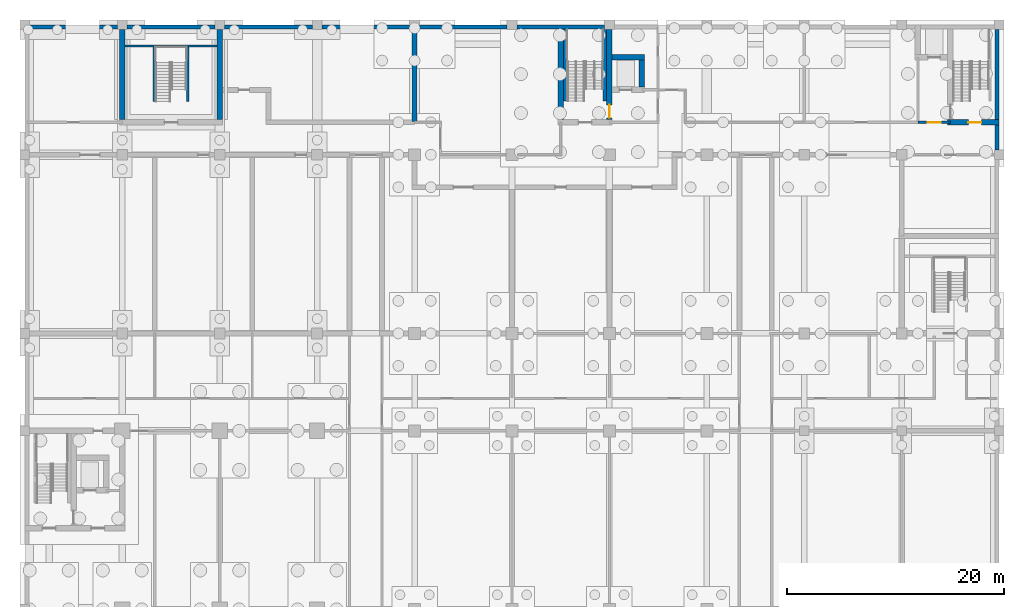
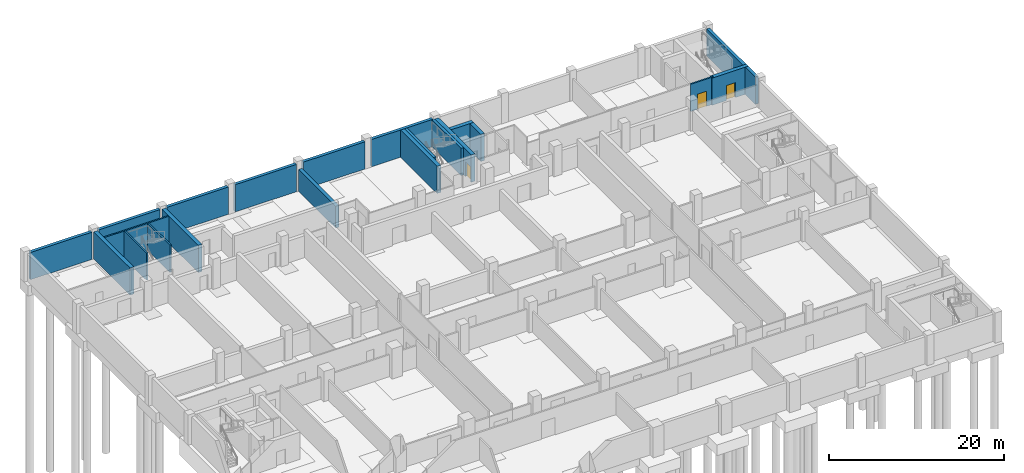
# One storey, part 9 of 15: 21 walls, 3 doors, 3 openings.
"""IFC4 building model written with IfcOpenShell, lengths in metres."""

from ifc_helpers import new_model, si_unit, direction, frame, frame_2d, origin, place, context, subcontext, project, spatial, rectangle, extrude, material, layer, layer_set, type_object, element, fill, save


model = new_model("IFC4")

# Units and contexts
model_context = context("Model", 3, precision=1e-05, world=origin(), true_north=direction((0.0, 1.0)))
body_context = subcontext(model_context, "Body", "Model", "MODEL_VIEW")
ifc_project = project(units=[si_unit("LENGTHUNIT", "METRE"), si_unit("AREAUNIT", "SQUARE_METRE"), si_unit("VOLUMEUNIT", "CUBIC_METRE"), si_unit("PLANEANGLEUNIT", "RADIAN"), si_unit("MASSUNIT", "GRAM", prefix="KILO")], contexts=[model_context])

# Site, building, storey
site_placement = place(None, origin())
site = spatial("IfcSite", under=ifc_project, at=site_placement, CompositionType="ELEMENT")
building_placement = place(site_placement, origin())
building = spatial("IfcBuilding", under=site, at=building_placement, Name="Aurelan Courthouse", CompositionType="ELEMENT")
storey_placement = place(building_placement, frame((0.0, 0.0, -8.39990234375)))
storey = spatial("IfcBuildingStorey", under=building, at=storey_placement, Name="B2", CompositionType="ELEMENT", Elevation=-8.39990234375)

# Wall
ifc_material_1 = material(Name="Reinforced concrete block", Category="concrete")
ifc_layer_1 = layer(ifc_material_1, 0.449951171875)
ifc_layer_set_1 = layer_set([ifc_layer_1], Name="Reinforced concrete block")
wall_type_1 = type_object("IfcWallType", Name="Archive fire wall 450 EI 60", PredefinedType="PARTITIONING", material=ifc_layer_set_1)
wall_1_placement = place(storey_placement, frame((36.0, 57.074951171875, 0.0), z_axis=(0.0, 0.0, 1.0), x_axis=(0.0, 1.0, 0.0)))
element("IfcWall", 1, at=wall_1_placement, inside=storey, type_object=wall_type_1, Name="Archive fire wall B2-087", PredefinedType="PARTITIONING", context=body_context, shape_type="SweptSolid", body=[
    extrude(rectangle(XDim=8.47509765625, YDim=0.449951171875, at=frame_2d((4.237548828125, 0.0))), origin(), (0.0, 0.0, 1.0), 3.0498046875),
])

# Wall, opening, door
ifc_material_2 = material(Name="Masonry block", Category="masonry")
ifc_layer_2 = layer(ifc_material_2, 0.199951171875)
ifc_layer_set_2 = layer_set([ifc_layer_2], Name="Masonry block")
wall_type_2 = type_object("IfcWallType", Name="Lift lobby wall 200 EI 60", PredefinedType="PARTITIONING", material=ifc_layer_set_2)
wall_2_placement = place(storey_placement, frame((82.5, 57.0, 0.0), z_axis=(0.0, 0.0, 1.0), x_axis=(1.0, 0.0, 0.0)))
wall_2 = element("IfcWall", 2, at=wall_2_placement, inside=storey, type_object=wall_type_2, Name="Lift lobby wall B2-067", PredefinedType="PARTITIONING", context=body_context, shape_type="SweptSolid", body=[
    extrude(rectangle(XDim=3.0, YDim=0.199951171875, at=frame_2d((1.5, 0.0))), origin(), (0.0, 0.0, 1.0), 3.7998046875),
])
opening_1_placement = place(wall_2_placement, frame((2.099853515625, 0.0, 0.0), z_axis=(0.0, 0.0, 1.0), x_axis=(-1.0, 0.0, 0.0)))
opening_1 = element("IfcOpeningElement", 3, at=opening_1_placement, cuts=wall_2, Name="Opening D-B2-058", PredefinedType="OPENING", context=body_context, shape_type="SweptSolid", body=[
    extrude(rectangle(XDim=1.199951171875, YDim=2.10009765625, at=frame_2d((0.60009765625, 1.050048828125))), frame((0.0, 0.10986328125, 0.0), z_axis=(0.0, -1.0, 0.0), x_axis=(1.0, 0.0, 0.0)), (0.0, 0.0, 1.0), 0.219970703125),
])
ifc_material_3 = material(Name="Steel", Category="steel")
door_type_1 = type_object("IfcDoorType", Name="Single door 1200 x 2100 FD60", OperationType="SINGLE_SWING_LEFT", PredefinedType="DOOR", material=ifc_material_3)
door_1_placement = place(opening_1_placement, origin())
door_1 = element("IfcDoor", 4, at=door_1_placement, inside=storey, type_object=door_type_1, Name="Single door D-B2-058", OperationType="SINGLE_SWING_LEFT", OverallHeight=2.10009765625, OverallWidth=1.199951171875, PredefinedType="DOOR", context=body_context, shape_type="SweptSolid", body=[
    extrude(rectangle(XDim=1.199951171875, YDim=2.10009765625, at=frame_2d((0.60009765625, 1.050048828125))), frame((0.0, 0.02490234375, 0.0), z_axis=(0.0, -1.0, 0.0), x_axis=(1.0, 0.0, 0.0)), (0.0, 0.0, 1.0), 0.050048828125),
])
fill(opening_1, door_1)

# Walls
ifc_material_4 = material(Name="Concrete C50", Category="concrete")
ifc_layer_3 = layer(ifc_material_4, 0.39990234375)
ifc_layer_set_3 = layer_set([ifc_layer_3], Name="Concrete C50")
wall_type_3 = type_object("IfcWallType", Name="RC retaining wall 400", PredefinedType="SOLIDWALL", material=ifc_layer_set_3)
wall_3_placement = place(storey_placement, frame((89.800048828125, 54.449951171875, 0.0), z_axis=(0.0, 0.0, 1.0), x_axis=(0.0, 1.0, 0.0)))
element("IfcWall", 5, at=wall_3_placement, inside=storey, type_object=wall_type_3, Name="Retaining wall SW-B2-034", PredefinedType="SOLIDWALL", context=body_context, shape_type="SweptSolid", body=[
    extrude(rectangle(XDim=11.10009765625, YDim=0.39990234375, at=frame_2d((5.550048828125, 0.0))), origin(), (0.0, 0.0, 1.0), 3.7998046875),
])
for number, where, z_axis, x_axis, name in (
    (6, (0.449951171875, 65.800048828125, 0.0), (0.0, 0.0, 1.0), (1.0, 0.0, 0.0), "Retaining wall SW-B2-048"),
    (7, (9.449951171875, 65.800048828125, 0.0), (0.0, 0.0, 1.0), (1.0, 0.0, 0.0), "Retaining wall SW-B2-049"),
    (8, (18.449951171875, 65.800048828125, 0.0), (0.0, 0.0, 1.0), (1.0, 0.0, 0.0), "Retaining wall SW-B2-050"),
    (9, (27.449951171875, 65.800048828125, 0.0), (0.0, 0.0, 1.0), (1.0, 0.0, 0.0), "Retaining wall SW-B2-051"),
    (10, (36.449951171875, 65.800048828125, 0.0), (0.0, 0.0, 1.0), (1.0, 0.0, 0.0), "Retaining wall SW-B2-052"),
    (11, (45.449951171875, 65.800048828125, 0.0), (0.0, 0.0, 1.0), (1.0, 0.0, 0.0), "Retaining wall SW-B2-053"),
):
    element("IfcWall", number, at=place(storey_placement, frame(where, z_axis=z_axis, x_axis=x_axis)), inside=storey, type_object=wall_type_3, Name=name, PredefinedType="SOLIDWALL", context=body_context, shape_type="SweptSolid", body=[
        extrude(rectangle(XDim=8.10009765625, YDim=0.39990234375, at=frame_2d((4.050048828125, 0.0))), origin(), (0.0, 0.0, 1.0), 3.7998046875),
    ])

# Wall, opening, door
ifc_layer_4 = layer(ifc_material_4, 0.5)
ifc_layer_set_4 = layer_set([ifc_layer_4], Name="Concrete C50")
wall_type_4 = type_object("IfcWallType", Name="RC shear wall 500", PredefinedType="SHEAR", material=ifc_layer_set_4)
wall_4_placement = place(storey_placement, frame((85.25, 57.0, 0.0), z_axis=(0.0, 0.0, 1.0), x_axis=(1.0, 0.0, 0.0)))
wall_4 = element("IfcWall", 12, at=wall_4_placement, inside=storey, type_object=wall_type_4, Name="Core wall SW-B2-037", PredefinedType="SHEAR", context=body_context, shape_type="SweptSolid", body=[
    extrude(rectangle(XDim=4.75, YDim=0.5, at=frame_2d((2.375, 0.0))), origin(), (0.0, 0.0, 1.0), 3.7998046875),
])
opening_2_placement = place(wall_4_placement, frame((1.89990234375, 0.0, 0.0)))
opening_2 = element("IfcOpeningElement", 13, at=opening_2_placement, cuts=wall_4, Name="Opening D-B2-051", PredefinedType="OPENING", context=body_context, shape_type="SweptSolid", body=[
    extrude(rectangle(XDim=1.199951171875, YDim=2.10009765625, at=frame_2d((0.60009765625, 1.050048828125))), frame((0.0, 0.260009765625, 0.0), z_axis=(0.0, -1.0, 0.0), x_axis=(1.0, 0.0, 0.0)), (0.0, 0.0, 1.0), 0.52001953125),
])
door_type_2 = type_object("IfcDoorType", Name="Single door 1200 x 2100 FD90", OperationType="SINGLE_SWING_LEFT", PredefinedType="DOOR", material=ifc_material_3)
door_2_placement = place(opening_2_placement, origin())
door_2 = element("IfcDoor", 14, at=door_2_placement, inside=storey, type_object=door_type_2, Name="Single door D-B2-051", OperationType="SINGLE_SWING_RIGHT", OverallHeight=2.10009765625, OverallWidth=1.199951171875, PredefinedType="DOOR", context=body_context, shape_type="SweptSolid", body=[
    extrude(rectangle(XDim=1.199951171875, YDim=2.10009765625, at=frame_2d((0.60009765625, 1.050048828125))), frame((0.0, 0.02490234375, 0.0), z_axis=(0.0, -1.0, 0.0), x_axis=(1.0, 0.0, 0.0)), (0.0, 0.0, 1.0), 0.050048828125),
])
fill(opening_2, door_2)

# Walls
for number, where, z_axis, x_axis, name in (
    (15, (9.0, 57.25, 0.0), (0.0, 0.0, 1.0), (0.0, 1.0, 0.0), "Core wall SW-B2-038"),
    (16, (18.0, 57.25, 0.0), (0.0, 0.0, 1.0), (0.0, 1.0, 0.0), "Core wall SW-B2-039"),
):
    element("IfcWall", number, at=place(storey_placement, frame(where, z_axis=z_axis, x_axis=x_axis)), inside=storey, type_object=wall_type_4, Name=name, PredefinedType="SHEAR", context=body_context, shape_type="SweptSolid", body=[
        extrude(rectangle(XDim=8.300048828125, YDim=0.5, at=frame_2d((4.14990234375, 0.0))), origin(), (0.0, 0.0, 1.0), 3.7998046875),
    ])
wall_5_placement = place(storey_placement, frame((49.5, 57.25, 0.0), z_axis=(0.0, 0.0, 1.0), x_axis=(0.0, 1.0, 0.0)))
element("IfcWall", 17, at=wall_5_placement, inside=storey, type_object=wall_type_4, Name="Core wall SW-B2-040", PredefinedType="SHEAR", context=body_context, shape_type="SweptSolid", body=[
    extrude(rectangle(XDim=8.75, YDim=0.5, at=frame_2d((4.375, 0.0))), origin(), (0.0, 0.0, 1.0), 3.7998046875),
])

# Wall, opening, door
wall_6_placement = place(storey_placement, frame((54.0, 57.25, 0.0), z_axis=(0.0, 0.0, 1.0), x_axis=(0.0, 1.0, 0.0)))
wall_6 = element("IfcWall", 18, at=wall_6_placement, inside=storey, type_object=wall_type_4, Name="Core wall SW-B2-041", PredefinedType="SHEAR", context=body_context, shape_type="SweptSolid", body=[
    extrude(rectangle(XDim=8.300048828125, YDim=0.5, at=frame_2d((4.14990234375, 0.0))), origin(), (0.0, 0.0, 1.0), 3.7998046875),
])
opening_3_placement = place(wall_6_placement, frame((0.14990234375, 0.0, 0.0)))
opening_3 = element("IfcOpeningElement", 19, at=opening_3_placement, cuts=wall_6, Name="Opening D-B2-056", PredefinedType="OPENING", context=body_context, shape_type="SweptSolid", body=[
    extrude(rectangle(XDim=1.199951171875, YDim=2.10009765625, at=frame_2d((0.60009765625, 1.050048828125))), frame((0.0, 0.260009765625, 0.0), z_axis=(0.0, -1.0, 0.0), x_axis=(1.0, 0.0, 0.0)), (0.0, 0.0, 1.0), 0.52001953125),
])
door_3_placement = place(opening_3_placement, origin())
door_3 = element("IfcDoor", 20, at=door_3_placement, inside=storey, type_object=door_type_2, Name="Single door D-B2-056", OperationType="SINGLE_SWING_LEFT", OverallHeight=2.10009765625, OverallWidth=1.199951171875, PredefinedType="DOOR", context=body_context, shape_type="SweptSolid", body=[
    extrude(rectangle(XDim=1.199951171875, YDim=2.10009765625, at=frame_2d((0.60009765625, 1.050048828125))), frame((0.0, 0.02490234375, 0.0), z_axis=(0.0, -1.0, 0.0), x_axis=(1.0, 0.0, 0.0)), (0.0, 0.0, 1.0), 0.050048828125),
])
fill(opening_3, door_3)

# Walls
wall_7_placement = place(storey_placement, frame((57.0, 60.25, 0.0), z_axis=(0.0, 0.0, 1.0), x_axis=(0.0, 1.0, 0.0)))
element("IfcWall", 21, at=wall_7_placement, inside=storey, type_object=wall_type_4, Name="Core wall SW-B2-044", PredefinedType="SHEAR", context=body_context, shape_type="SweptSolid", body=[
    extrude(rectangle(XDim=2.5, YDim=0.5, at=frame_2d((1.25, 0.0))), origin(), (0.0, 0.0, 1.0), 3.7998046875),
])
wall_8_placement = place(storey_placement, frame((54.25, 63.0, 0.0), z_axis=(0.0, 0.0, 1.0), x_axis=(1.0, 0.0, 0.0)))
element("IfcWall", 22, at=wall_8_placement, inside=storey, type_object=wall_type_4, Name="Core wall SW-B2-045", PredefinedType="SHEAR", context=body_context, shape_type="SweptSolid", body=[
    extrude(rectangle(XDim=3.0, YDim=0.5, at=frame_2d((1.5, 0.0))), origin(), (0.0, 0.0, 1.0), 3.7998046875),
])
ifc_material_5 = material(Name="Concrete C30", Category="concrete")
ifc_layer_5 = layer(ifc_material_5, 0.199951171875)
ifc_layer_set_5 = layer_set([ifc_layer_5], Name="Concrete C30")
wall_type_5 = type_object("IfcWallType", Name="Stair well wall 200 EI 120 load-bearing", PredefinedType="SHEAR", material=ifc_layer_set_5)
for number, where, z_axis, x_axis, name in (
    (23, (11.949951171875, 58.905029296875, 0.0), (0.0, 0.0, 1.0), (0.0, 1.0, 0.0), "Stair well wall BS-3-B2 A"),
    (24, (15.050048828125, 58.905029296875, 0.0), (0.0, 0.0, 1.0), (0.0, 1.0, 0.0), "Stair well wall BS-3-B2 B"),
):
    element("IfcWall", number, at=place(storey_placement, frame(where, z_axis=z_axis, x_axis=x_axis)), inside=storey, type_object=wall_type_5, Name=name, PredefinedType="SHEAR", context=body_context, shape_type="SweptSolid", body=[
        extrude(rectangle(XDim=5.0400390625, YDim=0.199951171875, at=frame_2d((2.52001953125, 0.0))), origin(), (0.0, 0.0, 1.0), 3.7998046875),
    ])
wall_9_placement = place(storey_placement, frame((9.25, 64.044921875, 0.0), z_axis=(0.0, 0.0, 1.0), x_axis=(1.0, 0.0, 0.0)))
element("IfcWall", 25, at=wall_9_placement, inside=storey, type_object=wall_type_5, Name="Stair well wall BS-3-B2 C", PredefinedType="SHEAR", context=body_context, shape_type="SweptSolid", body=[
    extrude(rectangle(XDim=8.5, YDim=0.199951171875, at=frame_2d((4.25, 0.0))), origin(), (0.0, 0.0, 1.0), 3.7998046875),
])
ifc_layer_6 = layer(ifc_material_5, 0.35009765625)
ifc_layer_set_6 = layer_set([ifc_layer_6], Name="Concrete C30")
wall_type_6 = type_object("IfcWallType", Name="Stair well wall 350 EI 120 load-bearing", PredefinedType="SHEAR", material=ifc_layer_set_6)
for number, where, z_axis, x_axis, name in (
    (26, (49.925048828125, 58.9599609375, 0.0), (0.0, 0.0, 1.0), (0.0, 1.0, 0.0), "Stair well wall ST-2A-B2 A"),
    (27, (53.574951171875, 58.9599609375, 0.0), (0.0, 0.0, 1.0), (0.0, 1.0, 0.0), "Stair well wall ST-2A-B2 B"),
):
    element("IfcWall", number, at=place(storey_placement, frame(where, z_axis=z_axis, x_axis=x_axis)), inside=storey, type_object=wall_type_6, Name=name, PredefinedType="SHEAR", context=body_context, shape_type="SweptSolid", body=[
        extrude(rectangle(XDim=6.64013671875, YDim=0.35009765625, at=frame_2d((3.320068359375, 0.0))), origin(), (0.0, 0.0, 1.0), 3.7998046875),
    ])

save(model, "model.ifc")
